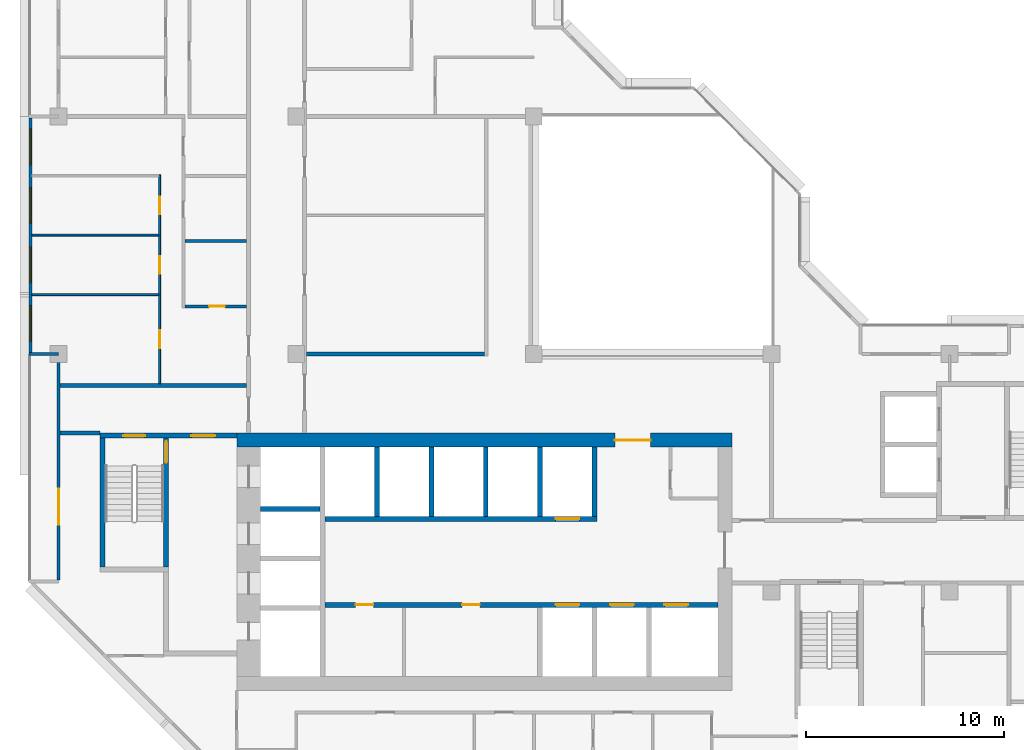
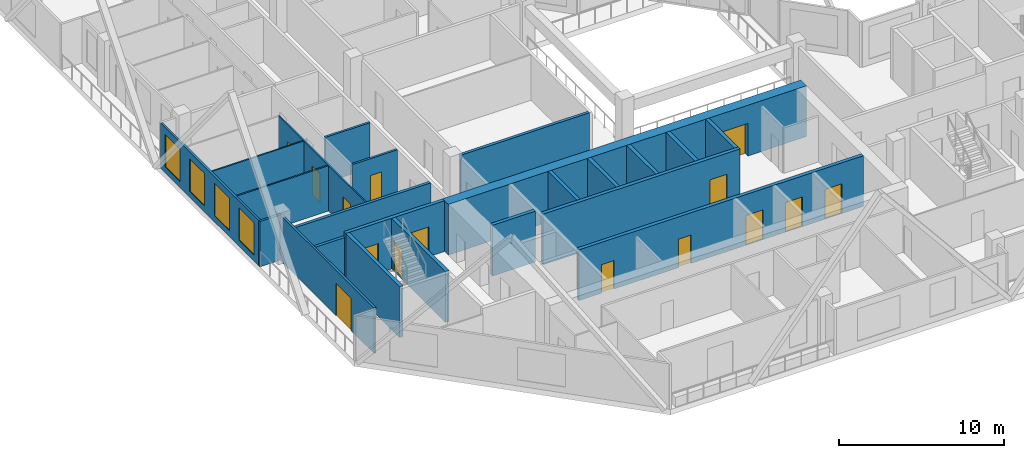
# One storey, part 5 of 15: 23 walls, 15 doors, 4 windows, 19 openings.
"""IFC4 building model written with IfcOpenShell, lengths in metres."""

from ifc_helpers import new_model, si_unit, direction, frame, frame_2d, origin, place, context, subcontext, project, spatial, rectangle, extrude, material, layer, layer_set, type_object, element, fill, save


model = new_model("IFC4")

# Units and contexts
model_context = context("Model", 3, precision=1e-05, world=origin(), true_north=direction((0.0, 1.0)))
body_context = subcontext(model_context, "Body", "Model", "MODEL_VIEW")
ifc_project = project(units=[si_unit("LENGTHUNIT", "METRE"), si_unit("AREAUNIT", "SQUARE_METRE"), si_unit("VOLUMEUNIT", "CUBIC_METRE"), si_unit("PLANEANGLEUNIT", "RADIAN"), si_unit("MASSUNIT", "GRAM", prefix="KILO")], contexts=[model_context])

# Site, building, storey
site_placement = place(None, origin())
site = spatial("IfcSite", under=ifc_project, at=site_placement, CompositionType="ELEMENT")
building_placement = place(site_placement, origin())
building = spatial("IfcBuilding", under=site, at=building_placement, Name="Chenar Terraces", CompositionType="ELEMENT")
storey_placement = place(building_placement, frame((0.0, 0.0, 245.39990234375)))
storey = spatial("IfcBuildingStorey", under=building, at=storey_placement, Name="L58", CompositionType="ELEMENT", Elevation=245.39990234375)

# Wall, openings, doors
ifc_material_1 = material(Name="Concrete C60/75", Category="concrete")
ifc_layer_1 = layer(ifc_material_1, 0.25)
ifc_layer_set_1 = layer_set([ifc_layer_1], Name="Concrete C60/75")
wall_type_1 = type_object("IfcWallType", Name="Core wall 250 Concrete C60/75", PredefinedType="SHEAR", material=ifc_layer_set_1)
wall_1_placement = place(storey_placement, frame((13.449951171875, 11.324951171875, 0.0), z_axis=(0.0, 0.0, 1.0), x_axis=(1.0, 0.0, 0.0)))
wall_1 = element("IfcWall", 1, at=wall_1_placement, inside=storey, type_object=wall_type_1, Name="Core wall SF L58", PredefinedType="SHEAR", context=body_context, shape_type="SweptSolid", body=[
    extrude(rectangle(XDim=19.85009765625, YDim=0.25, at=frame_2d((9.925048828125, 0.0))), origin(), (0.0, 0.0, 1.0), 3.75),
])
opening_1_placement = place(wall_1_placement, frame((11.64990234375, 0.0, 0.0)))
opening_1 = element("IfcOpeningElement", 2, at=opening_1_placement, cuts=wall_1, Name="Opening DL58-LD1", PredefinedType="OPENING", context=body_context, shape_type="SweptSolid", body=[
    extrude(rectangle(XDim=1.199951171875, YDim=2.199951171875, at=frame_2d((0.60009765625, 1.10009765625))), frame((0.0, 0.135009765625, 0.0), z_axis=(0.0, -1.0, 0.0), x_axis=(1.0, 0.0, 0.0)), (0.0, 0.0, 1.0), 0.27001953125),
])
opening_2_placement = place(wall_1_placement, frame((14.39990234375, 0.0, 0.0)))
opening_2 = element("IfcOpeningElement", 3, at=opening_2_placement, cuts=wall_1, Name="Opening DL58-LD2", PredefinedType="OPENING", context=body_context, shape_type="SweptSolid", body=[
    extrude(rectangle(XDim=1.199951171875, YDim=2.199951171875, at=frame_2d((0.60009765625, 1.10009765625))), frame((0.0, 0.135009765625, 0.0), z_axis=(0.0, -1.0, 0.0), x_axis=(1.0, 0.0, 0.0)), (0.0, 0.0, 1.0), 0.27001953125),
])
opening_3_placement = place(wall_1_placement, frame((17.14990234375, 0.0, 0.0)))
opening_3 = element("IfcOpeningElement", 4, at=opening_3_placement, cuts=wall_1, Name="Opening DL58-LD3", PredefinedType="OPENING", context=body_context, shape_type="SweptSolid", body=[
    extrude(rectangle(XDim=1.199951171875, YDim=2.199951171875, at=frame_2d((0.60009765625, 1.10009765625))), frame((0.0, 0.135009765625, 0.0), z_axis=(0.0, -1.0, 0.0), x_axis=(1.0, 0.0, 0.0)), (0.0, 0.0, 1.0), 0.27001953125),
])
opening_4_placement = place(wall_1_placement, frame((1.550048828125, 0.0, 0.0)))
opening_4 = element("IfcOpeningElement", 5, at=opening_4_placement, cuts=wall_1, Name="Opening DL58-C12", PredefinedType="OPENING", context=body_context, shape_type="SweptSolid", body=[
    extrude(rectangle(XDim=0.89990234375, YDim=2.10009765625, at=frame_2d((0.449951171875, 1.050048828125))), frame((0.0, 0.135009765625, 0.0), z_axis=(0.0, -1.0, 0.0), x_axis=(1.0, 0.0, 0.0)), (0.0, 0.0, 1.0), 0.27001953125),
])
opening_5_placement = place(wall_1_placement, frame((6.925048828125, 0.0, 0.0)))
opening_5 = element("IfcOpeningElement", 6, at=opening_5_placement, cuts=wall_1, Name="Opening DL58-C13", PredefinedType="OPENING", context=body_context, shape_type="SweptSolid", body=[
    extrude(rectangle(XDim=0.89990234375, YDim=2.10009765625, at=frame_2d((0.449951171875, 1.050048828125))), frame((0.0, 0.135009765625, 0.0), z_axis=(0.0, -1.0, 0.0), x_axis=(1.0, 0.0, 0.0)), (0.0, 0.0, 1.0), 0.27001953125),
])
ifc_material_2 = material(Name="Stainless steel", Category="steel")
door_type_1 = type_object("IfcDoorType", Name="Lift landing door 1200 x 2200 sliding", OperationType="DOUBLE_DOOR_SLIDING", PredefinedType="DOOR", material=ifc_material_2)
door_1_placement = place(opening_1_placement, origin())
door_1 = element("IfcDoor", 7, at=door_1_placement, inside=storey, type_object=door_type_1, Name="Landing door M1", OperationType="DOUBLE_DOOR_SLIDING", OverallHeight=2.199951171875, OverallWidth=1.199951171875, PredefinedType="DOOR", context=body_context, shape_type="SweptSolid", body=[
    extrude(rectangle(XDim=1.199951171875, YDim=2.199951171875, at=frame_2d((0.60009765625, 1.10009765625))), frame((0.0, 0.02490234375, 0.0), z_axis=(0.0, -1.0, 0.0), x_axis=(1.0, 0.0, 0.0)), (0.0, 0.0, 1.0), 0.050048828125),
])
fill(opening_1, door_1)
door_2_placement = place(opening_2_placement, origin())
door_2 = element("IfcDoor", 8, at=door_2_placement, inside=storey, type_object=door_type_1, Name="Landing door M2", OperationType="DOUBLE_DOOR_SLIDING", OverallHeight=2.199951171875, OverallWidth=1.199951171875, PredefinedType="DOOR", context=body_context, shape_type="SweptSolid", body=[
    extrude(rectangle(XDim=1.199951171875, YDim=2.199951171875, at=frame_2d((0.60009765625, 1.10009765625))), frame((0.0, 0.02490234375, 0.0), z_axis=(0.0, -1.0, 0.0), x_axis=(1.0, 0.0, 0.0)), (0.0, 0.0, 1.0), 0.050048828125),
])
fill(opening_2, door_2)
door_3_placement = place(opening_3_placement, origin())
door_3 = element("IfcDoor", 9, at=door_3_placement, inside=storey, type_object=door_type_1, Name="Landing door M3", OperationType="DOUBLE_DOOR_SLIDING", OverallHeight=2.199951171875, OverallWidth=1.199951171875, PredefinedType="DOOR", context=body_context, shape_type="SweptSolid", body=[
    extrude(rectangle(XDim=1.199951171875, YDim=2.199951171875, at=frame_2d((0.60009765625, 1.10009765625))), frame((0.0, 0.02490234375, 0.0), z_axis=(0.0, -1.0, 0.0), x_axis=(1.0, 0.0, 0.0)), (0.0, 0.0, 1.0), 0.050048828125),
])
fill(opening_3, door_3)
ifc_material_3 = material(Name="Steel-framed fire-resisting door leaf", Category="steel")
door_type_2 = type_object("IfcDoorType", Name="Riser fire door FD60 900 x 2100", OperationType="SINGLE_SWING_LEFT", PredefinedType="DOOR", material=ifc_material_3)
door_4_placement = place(opening_4_placement, frame((0.89990234375, 0.0, 0.0), z_axis=(0.0, 0.0, 1.0), x_axis=(-1.0, 0.0, 0.0)))
door_4 = element("IfcDoor", 10, at=door_4_placement, inside=storey, type_object=door_type_2, Name="Core room door DL58-C12", OperationType="SINGLE_SWING_LEFT", OverallHeight=2.10009765625, OverallWidth=0.89990234375, PredefinedType="DOOR", context=body_context, shape_type="SweptSolid", body=[
    extrude(rectangle(XDim=0.89990234375, YDim=2.10009765625, at=frame_2d((0.449951171875, 1.050048828125))), frame((0.0, 0.02490234375, 0.0), z_axis=(0.0, -1.0, 0.0), x_axis=(1.0, 0.0, 0.0)), (0.0, 0.0, 1.0), 0.050048828125),
])
fill(opening_4, door_4)
door_5_placement = place(opening_5_placement, frame((0.89990234375, 0.0, 0.0), z_axis=(0.0, 0.0, 1.0), x_axis=(-1.0, 0.0, 0.0)))
door_5 = element("IfcDoor", 11, at=door_5_placement, inside=storey, type_object=door_type_2, Name="Core room door DL58-C13", OperationType="SINGLE_SWING_RIGHT", OverallHeight=2.10009765625, OverallWidth=0.89990234375, PredefinedType="DOOR", context=body_context, shape_type="SweptSolid", body=[
    extrude(rectangle(XDim=0.89990234375, YDim=2.10009765625, at=frame_2d((0.449951171875, 1.050048828125))), frame((0.0, 0.02490234375, 0.0), z_axis=(0.0, -1.0, 0.0), x_axis=(1.0, 0.0, 0.0)), (0.0, 0.0, 1.0), 0.050048828125),
])
fill(opening_5, door_5)

# Wall, opening, door
wall_2_placement = place(storey_placement, frame((13.449951171875, 15.675048828125, 0.0), z_axis=(0.0, 0.0, 1.0), x_axis=(1.0, 0.0, 0.0)))
wall_2 = element("IfcWall", 12, at=wall_2_placement, inside=storey, type_object=wall_type_1, Name="Core wall NF L58", PredefinedType="SHEAR", context=body_context, shape_type="SweptSolid", body=[
    extrude(rectangle(XDim=13.75, YDim=0.25, at=frame_2d((6.875, 0.0))), origin(), (0.0, 0.0, 1.0), 3.75),
])
opening_6_placement = place(wall_2_placement, frame((11.64990234375, 0.0, 0.0)))
opening_6 = element("IfcOpeningElement", 13, at=opening_6_placement, cuts=wall_2, Name="Opening DL58-LD4", PredefinedType="OPENING", context=body_context, shape_type="SweptSolid", body=[
    extrude(rectangle(XDim=1.199951171875, YDim=2.199951171875, at=frame_2d((0.60009765625, 1.10009765625))), frame((0.0, 0.135009765625, 0.0), z_axis=(0.0, -1.0, 0.0), x_axis=(1.0, 0.0, 0.0)), (0.0, 0.0, 1.0), 0.27001953125),
])
door_6_placement = place(opening_6_placement, origin())
door_6 = element("IfcDoor", 14, at=door_6_placement, inside=storey, type_object=door_type_1, Name="Landing door M4", OperationType="DOUBLE_DOOR_SLIDING", OverallHeight=2.199951171875, OverallWidth=1.199951171875, PredefinedType="DOOR", context=body_context, shape_type="SweptSolid", body=[
    extrude(rectangle(XDim=1.199951171875, YDim=2.199951171875, at=frame_2d((0.60009765625, 1.10009765625))), frame((0.0, 0.02490234375, 0.0), z_axis=(0.0, -1.0, 0.0), x_axis=(1.0, 0.0, 0.0)), (0.0, 0.0, 1.0), 0.050048828125),
])
fill(opening_6, door_6)

# Walls
wall_3_placement = place(storey_placement, frame((10.199951171875, 16.175048828125, 0.0), z_axis=(0.0, 0.0, 1.0), x_axis=(1.0, 0.0, 0.0)))
element("IfcWall", 15, at=wall_3_placement, inside=storey, type_object=wall_type_1, Name="Core wall HW2 L58", PredefinedType="SHEAR", context=body_context, shape_type="SweptSolid", body=[
    extrude(rectangle(XDim=3.0, YDim=0.25, at=frame_2d((1.5, 0.0))), origin(), (0.0, 0.0, 1.0), 3.75),
])
for number, where, z_axis, x_axis, name in (
    (16, (16.074951171875, 15.800048828125, 0.0), (0.0, 0.0, 1.0), (0.0, 1.0, 0.0), "Core wall NS0 L58"),
    (17, (18.824951171875, 15.800048828125, 0.0), (0.0, 0.0, 1.0), (0.0, 1.0, 0.0), "Core wall NS1 L58"),
    (18, (21.574951171875, 15.800048828125, 0.0), (0.0, 0.0, 1.0), (0.0, 1.0, 0.0), "Core wall NS2 L58"),
    (19, (24.324951171875, 15.800048828125, 0.0), (0.0, 0.0, 1.0), (0.0, 1.0, 0.0), "Core wall NS3 L58"),
    (20, (27.074951171875, 15.800048828125, 0.0), (0.0, 0.0, 1.0), (0.0, 1.0, 0.0), "Core wall NE L58"),
):
    element("IfcWall", number, at=place(storey_placement, frame(where, z_axis=z_axis, x_axis=x_axis)), inside=storey, type_object=wall_type_1, Name=name, PredefinedType="SHEAR", context=body_context, shape_type="SweptSolid", body=[
        extrude(rectangle(XDim=3.5, YDim=0.25, at=frame_2d((1.75, 0.0))), origin(), (0.0, 0.0, 1.0), 3.75),
    ])

# Wall, openings, doors
wall_4_placement = place(storey_placement, frame((2.10009765625, 19.875, 0.0), z_axis=(0.0, 0.0, 1.0), x_axis=(1.0, 0.0, 0.0)))
wall_4 = element("IfcWall", 21, at=wall_4_placement, inside=storey, type_object=wall_type_1, Name="Core wall A_N L58", PredefinedType="SHEAR", context=body_context, shape_type="SweptSolid", body=[
    extrude(rectangle(XDim=6.89990234375, YDim=0.25, at=frame_2d((3.449951171875, 0.0))), origin(), (0.0, 0.0, 1.0), 3.75),
])
opening_7_placement = place(wall_4_placement, frame((1.175048828125, 0.0, 0.0)))
opening_7 = element("IfcOpeningElement", 22, at=opening_7_placement, cuts=wall_4, Name="Opening DL58-C5", PredefinedType="OPENING", context=body_context, shape_type="SweptSolid", body=[
    extrude(rectangle(XDim=1.10009765625, YDim=2.199951171875, at=frame_2d((0.550048828125, 1.10009765625))), frame((0.0, 0.135009765625, 0.0), z_axis=(0.0, -1.0, 0.0), x_axis=(1.0, 0.0, 0.0)), (0.0, 0.0, 1.0), 0.27001953125),
])
opening_8_placement = place(wall_4_placement, frame((4.60009765625, 0.0, 0.0)))
opening_8 = element("IfcOpeningElement", 23, at=opening_8_placement, cuts=wall_4, Name="Opening DL58-C6", PredefinedType="OPENING", context=body_context, shape_type="SweptSolid", body=[
    extrude(rectangle(XDim=1.199951171875, YDim=2.199951171875, at=frame_2d((0.60009765625, 1.10009765625))), frame((0.0, 0.135009765625, 0.0), z_axis=(0.0, -1.0, 0.0), x_axis=(1.0, 0.0, 0.0)), (0.0, 0.0, 1.0), 0.27001953125),
])
ifc_material_4 = material(Name="Steel-framed fire-resisting door leaf", Category="steel")
door_type_3 = type_object("IfcDoorType", Name="Lobby fire door FD60 1200 x 2200", OperationType="SINGLE_SWING_LEFT", PredefinedType="DOOR", material=ifc_material_4)
door_7_placement = place(opening_8_placement, frame((1.199951171875, 0.0, 0.0), z_axis=(0.0, 0.0, 1.0), x_axis=(-1.0, 0.0, 0.0)))
door_7 = element("IfcDoor", 24, at=door_7_placement, inside=storey, type_object=door_type_3, Name="Core door DL58-C6", OperationType="SINGLE_SWING_LEFT", OverallHeight=2.199951171875, OverallWidth=1.199951171875, PredefinedType="DOOR", context=body_context, shape_type="SweptSolid", body=[
    extrude(rectangle(XDim=1.199951171875, YDim=2.199951171875, at=frame_2d((0.60009765625, 1.10009765625))), frame((0.0, 0.02490234375, 0.0), z_axis=(0.0, -1.0, 0.0), x_axis=(1.0, 0.0, 0.0)), (0.0, 0.0, 1.0), 0.050048828125),
])
fill(opening_8, door_7)
ifc_material_5 = material(Name="Steel-framed fire-resisting door leaf", Category="steel")
door_type_4 = type_object("IfcDoorType", Name="Stair fire door FD60 1100 x 2200", OperationType="SINGLE_SWING_LEFT", PredefinedType="DOOR", material=ifc_material_5)
door_8_placement = place(opening_7_placement, origin())
door_8 = element("IfcDoor", 25, at=door_8_placement, inside=storey, type_object=door_type_4, Name="Stair door DL58-C5", OperationType="SINGLE_SWING_LEFT", OverallHeight=2.199951171875, OverallWidth=1.10009765625, PredefinedType="DOOR", context=body_context, shape_type="SweptSolid", body=[
    extrude(rectangle(XDim=1.10009765625, YDim=2.199951171875, at=frame_2d((0.550048828125, 1.10009765625))), frame((0.0, 0.02490234375, 0.0), z_axis=(0.0, -1.0, 0.0), x_axis=(1.0, 0.0, 0.0)), (0.0, 0.0, 1.0), 0.050048828125),
])
fill(opening_7, door_8)

# Wall
wall_5_placement = place(storey_placement, frame((2.22509765625, 13.25, 0.0), z_axis=(0.0, 0.0, 1.0), x_axis=(0.0, 1.0, 0.0)))
element("IfcWall", 26, at=wall_5_placement, inside=storey, type_object=wall_type_1, Name="Core wall ST1_W L58", PredefinedType="SHEAR", context=body_context, shape_type="SweptSolid", body=[
    extrude(rectangle(XDim=6.5, YDim=0.25, at=frame_2d((3.25, 0.0))), origin(), (0.0, 0.0, 1.0), 3.75),
])

# Wall, opening, door
wall_6_placement = place(storey_placement, frame((5.425048828125, 13.25, 0.0), z_axis=(0.0, 0.0, 1.0), x_axis=(0.0, 1.0, 0.0)))
wall_6 = element("IfcWall", 27, at=wall_6_placement, inside=storey, type_object=wall_type_1, Name="Core wall ST1_E L58", PredefinedType="SHEAR", context=body_context, shape_type="SweptSolid", body=[
    extrude(rectangle(XDim=6.5, YDim=0.25, at=frame_2d((3.25, 0.0))), origin(), (0.0, 0.0, 1.0), 3.75),
])
opening_9_placement = place(wall_6_placement, frame((5.25, 0.0, 0.0)))
opening_9 = element("IfcOpeningElement", 28, at=opening_9_placement, cuts=wall_6, Name="Opening DL58-C3", PredefinedType="OPENING", context=body_context, shape_type="SweptSolid", body=[
    extrude(rectangle(XDim=1.10009765625, YDim=2.199951171875, at=frame_2d((0.550048828125, 1.10009765625))), frame((0.0, 0.135009765625, 0.0), z_axis=(0.0, -1.0, 0.0), x_axis=(1.0, 0.0, 0.0)), (0.0, 0.0, 1.0), 0.27001953125),
])
door_9_placement = place(opening_9_placement, origin())
door_9 = element("IfcDoor", 29, at=door_9_placement, inside=storey, type_object=door_type_4, Name="Stair door DL58-C3", OperationType="SINGLE_SWING_RIGHT", OverallHeight=2.199951171875, OverallWidth=1.10009765625, PredefinedType="DOOR", context=body_context, shape_type="SweptSolid", body=[
    extrude(rectangle(XDim=1.10009765625, YDim=2.199951171875, at=frame_2d((0.550048828125, 1.10009765625))), frame((0.0, 0.02490234375, 0.0), z_axis=(0.0, -1.0, 0.0), x_axis=(1.0, 0.0, 0.0)), (0.0, 0.0, 1.0), 0.050048828125),
])
fill(opening_9, door_9)

ifc_material_6 = material(Name="Concrete C60/75", Category="concrete")
ifc_layer_2 = layer(ifc_material_6, 0.699951171875)
ifc_layer_set_2 = layer_set([ifc_layer_2], Name="Concrete C60/75")
wall_type_2 = type_object("IfcWallType", Name="Core wall 700 Concrete C60/75", PredefinedType="SHEAR", material=ifc_layer_set_2)
wall_7_placement = place(storey_placement, frame((9.0, 19.64990234375, 0.0), z_axis=(0.0, 0.0, 1.0), x_axis=(1.0, 0.0, 0.0)))
wall_7 = element("IfcWall", 30, at=wall_7_placement, inside=storey, type_object=wall_type_2, Name="Core wall N L58", PredefinedType="SHEAR", context=body_context, shape_type="SweptSolid", body=[
    extrude(rectangle(XDim=25.0, YDim=0.699951171875, at=frame_2d((12.5, 0.0))), origin(), (0.0, 0.0, 1.0), 3.75),
])
opening_10_placement = place(wall_7_placement, frame((19.10009765625, 0.0, 0.0)))
opening_10 = element("IfcOpeningElement", 31, at=opening_10_placement, cuts=wall_7, Name="Opening DL58-C2", PredefinedType="OPENING", context=body_context, shape_type="SweptSolid", body=[
    extrude(rectangle(XDim=1.800048828125, YDim=2.39990234375, at=frame_2d((0.89990234375, 1.199951171875))), frame((0.0, 0.35986328125, 0.0), z_axis=(0.0, -1.0, 0.0), x_axis=(1.0, 0.0, 0.0)), (0.0, 0.0, 1.0), 0.719970703125),
])
ifc_material_7 = material(Name="Steel-framed fire-resisting door leaf", Category="steel")
door_type_5 = type_object("IfcDoorType", Name="Core entrance double fire door FD60 1800 x 2400", OperationType="DOUBLE_DOOR_SINGLE_SWING", PredefinedType="DOOR", material=ifc_material_7)
door_10_placement = place(opening_10_placement, frame((1.800048828125, 0.0, 0.0), z_axis=(0.0, 0.0, 1.0), x_axis=(-1.0, 0.0, 0.0)))
door_10 = element("IfcDoor", 32, at=door_10_placement, inside=storey, type_object=door_type_5, Name="Core door DL58-C2", OperationType="DOUBLE_DOOR_SINGLE_SWING", OverallHeight=2.39990234375, OverallWidth=1.800048828125, PredefinedType="DOOR", context=body_context, shape_type="SweptSolid", body=[
    extrude(rectangle(XDim=1.800048828125, YDim=2.39990234375, at=frame_2d((0.89990234375, 1.199951171875))), frame((0.0, 0.02490234375, 0.0), z_axis=(0.0, -1.0, 0.0), x_axis=(1.0, 0.0, 0.0)), (0.0, 0.0, 1.0), 0.050048828125),
])
fill(opening_10, door_10)

# Walls
ifc_material_8 = material(Name="Gypsum board on steel studs with fire boards", Category="steel")
ifc_layer_3 = layer(ifc_material_8, 0.199951171875)
ifc_layer_set_3 = layer_set([ifc_layer_3], Name="Gypsum board on steel studs with fire boards")
wall_type_3 = type_object("IfcWallType", Name="Corridor wall 200", PredefinedType="PARTITIONING", material=ifc_layer_set_3)
wall_8_placement = place(storey_placement, frame((0.073974609375, 20.0, 0.0), z_axis=(0.0, 0.0, 1.0), x_axis=(1.0, 0.0, 0.0)))
element("IfcWall", 33, at=wall_8_placement, inside=storey, type_object=wall_type_3, Name="Partition L58-008", PredefinedType="PARTITIONING", context=body_context, shape_type="SweptSolid", body=[
    extrude(rectangle(XDim=2.026123046875, YDim=0.199951171875, at=frame_2d((1.01318359375, 0.0))), origin(), (0.0, 0.0, 1.0), 3.35009765625),
])
wall_9_placement = place(storey_placement, frame((0.073974609375, 22.39990234375, 0.0), z_axis=(0.0, 0.0, 1.0), x_axis=(1.0, 0.0, 0.0)))
element("IfcWall", 34, at=wall_9_placement, inside=storey, type_object=wall_type_3, Name="Partition L58-009", PredefinedType="PARTITIONING", context=body_context, shape_type="SweptSolid", body=[
    extrude(rectangle(XDim=9.426025390625, YDim=0.199951171875, at=frame_2d((4.712890625, 0.0))), origin(), (0.0, 0.0, 1.0), 3.35009765625),
])
wall_10_placement = place(storey_placement, frame((12.52490234375, 24.0, 0.0), z_axis=(0.0, 0.0, 1.0), x_axis=(1.0, 0.0, 0.0)))
element("IfcWall", 35, at=wall_10_placement, inside=storey, type_object=wall_type_3, Name="Partition L58-037", PredefinedType="PARTITIONING", context=body_context, shape_type="SweptSolid", body=[
    extrude(rectangle(XDim=8.97509765625, YDim=0.199951171875, at=frame_2d((4.487548828125, 0.0))), origin(), (0.0, 0.0, 1.0), 3.35009765625),
])

# Wall, openings, windows
ifc_material_9 = material(Name="Aluminium framed glazing", Category="aluminium")
ifc_layer_4 = layer(ifc_material_9, 0.14990234375)
ifc_layer_set_4 = layer_set([ifc_layer_4], Name="Aluminium framed glazing")
wall_type_4 = type_object("IfcWallType", Name="Glazed flush facade wall 150", PredefinedType="SOLIDWALL", material=ifc_layer_set_4)
wall_11_placement = place(storey_placement, frame((-1.425048828125, 35.925048828125, 0.0), z_axis=(0.0, 0.0, 1.0), x_axis=(0.0, -1.0, 0.0)))
wall_11 = element("IfcWall", 36, at=wall_11_placement, inside=storey, type_object=wall_type_4, Name="Glazed flush facade wall", PredefinedType="SOLIDWALL", context=body_context, shape_type="SweptSolid", body=[
    extrude(rectangle(XDim=11.85009765625, YDim=0.14990234375, at=frame_2d((5.925048828125, 0.0))), origin(), (0.0, 0.0, 1.0), 3.35009765625),
])
opening_11_placement = place(wall_11_placement, frame((0.5625, 0.0, 0.449951171875)))
opening_11 = element("IfcOpeningElement", 37, at=opening_11_placement, cuts=wall_11, Name="Opening W180x240", PredefinedType="OPENING", context=body_context, shape_type="SweptSolid", body=[
    extrude(rectangle(XDim=1.800048828125, YDim=2.39990234375, at=frame_2d((0.89990234375, 1.199951171875))), frame((0.0, 0.0849609375, 0.0), z_axis=(0.0, -1.0, 0.0), x_axis=(1.0, 0.0, 0.0)), (0.0, 0.0, 1.0), 0.169921875),
])
opening_12_placement = place(wall_11_placement, frame((3.52490234375, 0.0, 0.449951171875)))
opening_12 = element("IfcOpeningElement", 38, at=opening_12_placement, cuts=wall_11, Name="Opening W180x240", PredefinedType="OPENING", context=body_context, shape_type="SweptSolid", body=[
    extrude(rectangle(XDim=1.800048828125, YDim=2.39990234375, at=frame_2d((0.89990234375, 1.199951171875))), frame((0.0, 0.0849609375, 0.0), z_axis=(0.0, -1.0, 0.0), x_axis=(1.0, 0.0, 0.0)), (0.0, 0.0, 1.0), 0.169921875),
])
opening_13_placement = place(wall_11_placement, frame((6.52490234375, 0.0, 0.449951171875)))
opening_13 = element("IfcOpeningElement", 39, at=opening_13_placement, cuts=wall_11, Name="Opening W180x240", PredefinedType="OPENING", context=body_context, shape_type="SweptSolid", body=[
    extrude(rectangle(XDim=1.800048828125, YDim=2.39990234375, at=frame_2d((0.89990234375, 1.199951171875))), frame((0.0, 0.0849609375, 0.0), z_axis=(0.0, -1.0, 0.0), x_axis=(1.0, 0.0, 0.0)), (0.0, 0.0, 1.0), 0.169921875),
])
opening_14_placement = place(wall_11_placement, frame((9.487548828125, 0.0, 0.449951171875)))
opening_14 = element("IfcOpeningElement", 40, at=opening_14_placement, cuts=wall_11, Name="Opening W180x240", PredefinedType="OPENING", context=body_context, shape_type="SweptSolid", body=[
    extrude(rectangle(XDim=1.800048828125, YDim=2.39990234375, at=frame_2d((0.89990234375, 1.199951171875))), frame((0.0, 0.0849609375, 0.0), z_axis=(0.0, -1.0, 0.0), x_axis=(1.0, 0.0, 0.0)), (0.0, 0.0, 1.0), 0.169921875),
])
ifc_material_10 = material(Name="Low emissivity double glazing, aluminium frame", Category="aluminium")
window_type = type_object("IfcWindowType", Name="Fixed light 1800 x 2400", PartitioningType="SINGLE_PANEL", PredefinedType="WINDOW", material=ifc_material_10)
window_1_placement = place(opening_11_placement, origin())
window_1 = element("IfcWindow", 41, at=window_1_placement, inside=storey, type_object=window_type, Name="Window", OverallHeight=2.39990234375, OverallWidth=1.800048828125, PartitioningType="SINGLE_PANEL", PredefinedType="WINDOW", context=body_context, shape_type="SweptSolid", body=[
    extrude(rectangle(XDim=1.800048828125, YDim=2.39990234375, at=frame_2d((0.89990234375, 1.199951171875))), frame((0.0, 0.030029296875, 0.0), z_axis=(0.0, -1.0, 0.0), x_axis=(1.0, 0.0, 0.0)), (0.0, 0.0, 1.0), 0.06005859375),
])
fill(opening_11, window_1)
window_2_placement = place(opening_12_placement, origin())
window_2 = element("IfcWindow", 42, at=window_2_placement, inside=storey, type_object=window_type, Name="Window", OverallHeight=2.39990234375, OverallWidth=1.800048828125, PartitioningType="SINGLE_PANEL", PredefinedType="WINDOW", context=body_context, shape_type="SweptSolid", body=[
    extrude(rectangle(XDim=1.800048828125, YDim=2.39990234375, at=frame_2d((0.89990234375, 1.199951171875))), frame((0.0, 0.030029296875, 0.0), z_axis=(0.0, -1.0, 0.0), x_axis=(1.0, 0.0, 0.0)), (0.0, 0.0, 1.0), 0.06005859375),
])
fill(opening_12, window_2)
window_3_placement = place(opening_13_placement, origin())
window_3 = element("IfcWindow", 43, at=window_3_placement, inside=storey, type_object=window_type, Name="Window", OverallHeight=2.39990234375, OverallWidth=1.800048828125, PartitioningType="SINGLE_PANEL", PredefinedType="WINDOW", context=body_context, shape_type="SweptSolid", body=[
    extrude(rectangle(XDim=1.800048828125, YDim=2.39990234375, at=frame_2d((0.89990234375, 1.199951171875))), frame((0.0, 0.030029296875, 0.0), z_axis=(0.0, -1.0, 0.0), x_axis=(1.0, 0.0, 0.0)), (0.0, 0.0, 1.0), 0.06005859375),
])
fill(opening_13, window_3)
window_4_placement = place(opening_14_placement, origin())
window_4 = element("IfcWindow", 44, at=window_4_placement, inside=storey, type_object=window_type, Name="Window", OverallHeight=2.39990234375, OverallWidth=1.800048828125, PartitioningType="SINGLE_PANEL", PredefinedType="WINDOW", context=body_context, shape_type="SweptSolid", body=[
    extrude(rectangle(XDim=1.800048828125, YDim=2.39990234375, at=frame_2d((0.89990234375, 1.199951171875))), frame((0.0, 0.030029296875, 0.0), z_axis=(0.0, -1.0, 0.0), x_axis=(1.0, 0.0, 0.0)), (0.0, 0.0, 1.0), 0.06005859375),
])
fill(opening_14, window_4)

# Wall, opening, door
ifc_material_11 = material(Name="Aluminium framed glazing", Category="aluminium")
ifc_layer_5 = layer(ifc_material_11, 0.14990234375)
ifc_layer_set_5 = layer_set([ifc_layer_5], Name="Aluminium framed glazing")
wall_type_5 = type_object("IfcWallType", Name="Glazed loggia back wall 150", PredefinedType="SOLIDWALL", material=ifc_layer_set_5)
wall_12_placement = place(storey_placement, frame((0.0, 23.925048828125, 0.0), z_axis=(0.0, 0.0, 1.0), x_axis=(0.0, -1.0, 0.0)))
wall_12 = element("IfcWall", 45, at=wall_12_placement, inside=storey, type_object=wall_type_5, Name="Glazed loggia back wall", PredefinedType="SOLIDWALL", context=body_context, shape_type="SweptSolid", body=[
    extrude(rectangle(XDim=11.35009765625, YDim=0.14990234375, at=frame_2d((5.675048828125, 0.0))), origin(), (0.0, 0.0, 1.0), 3.35009765625),
])
opening_15_placement = place(wall_12_placement, frame((6.737548828125, 0.0, 0.0)))
opening_15 = element("IfcOpeningElement", 46, at=opening_15_placement, cuts=wall_12, Name="Opening DL58-G4", PredefinedType="OPENING", context=body_context, shape_type="SweptSolid", body=[
    extrude(rectangle(XDim=1.800048828125, YDim=2.39990234375, at=frame_2d((0.89990234375, 1.199951171875))), frame((0.0, 0.0849609375, 0.0), z_axis=(0.0, -1.0, 0.0), x_axis=(1.0, 0.0, 0.0)), (0.0, 0.0, 1.0), 0.169921875),
])
ifc_material_12 = material(Name="Low emissivity double glazing, aluminium frame", Category="aluminium")
door_type_6 = type_object("IfcDoorType", Name="Loggia glazed double door 1800 x 2400", OperationType="DOUBLE_DOOR_SINGLE_SWING", PredefinedType="DOOR", material=ifc_material_12)
door_11_placement = place(opening_15_placement, frame((1.800048828125, 0.0, 0.0), z_axis=(0.0, 0.0, 1.0), x_axis=(-1.0, 0.0, 0.0)))
door_11 = element("IfcDoor", 47, at=door_11_placement, inside=storey, type_object=door_type_6, Name="Loggia glazed door", OperationType="DOUBLE_DOOR_SINGLE_SWING", OverallHeight=2.39990234375, OverallWidth=1.800048828125, PredefinedType="DOOR", context=body_context, shape_type="SweptSolid", body=[
    extrude(rectangle(XDim=1.800048828125, YDim=2.39990234375, at=frame_2d((0.89990234375, 1.199951171875))), frame((0.0, 0.02490234375, 0.0), z_axis=(0.0, -1.0, 0.0), x_axis=(1.0, 0.0, 0.0)), (0.0, 0.0, 1.0), 0.050048828125),
])
fill(opening_15, door_11)

# Walls
ifc_material_13 = material(Name="Gypsum board on steel studs", Category="steel")
ifc_layer_6 = layer(ifc_material_13, 0.10009765625)
ifc_layer_set_6 = layer_set([ifc_layer_6], Name="Gypsum board on steel studs")
wall_type_6 = type_object("IfcWallType", Name="Gypsum partition 100", PredefinedType="PARTITIONING", material=ifc_layer_set_6)
for number, where, z_axis, x_axis, name in (
    (48, (-1.35107421875, 27.0, 0.0), (0.0, 0.0, 1.0), (1.0, 0.0, 0.0), "Partition L58-001"),
    (49, (-1.35107421875, 30.0, 0.0), (0.0, 0.0, 1.0), (1.0, 0.0, 0.0), "Partition L58-002"),
):
    element("IfcWall", number, at=place(storey_placement, frame(where, z_axis=z_axis, x_axis=x_axis)), inside=storey, type_object=wall_type_6, Name=name, PredefinedType="PARTITIONING", context=body_context, shape_type="SweptSolid", body=[
        extrude(rectangle(XDim=6.401123046875, YDim=0.10009765625, at=frame_2d((3.20068359375, 0.0))), origin(), (0.0, 0.0, 1.0), 3.35009765625),
    ])

# Wall, openings, doors
wall_13_placement = place(storey_placement, frame((5.10009765625, 22.5, 0.0), z_axis=(0.0, 0.0, 1.0), x_axis=(0.0, 1.0, 0.0)))
wall_13 = element("IfcWall", 50, at=wall_13_placement, inside=storey, type_object=wall_type_6, Name="Partition L58-014", PredefinedType="PARTITIONING", context=body_context, shape_type="SweptSolid", body=[
    extrude(rectangle(XDim=10.550048828125, YDim=0.10009765625, at=frame_2d((5.27490234375, 0.0))), origin(), (0.0, 0.0, 1.0), 3.35009765625),
])
opening_16_placement = place(wall_13_placement, frame((1.800048828125, 0.0, 0.0)))
opening_16 = element("IfcOpeningElement", 51, at=opening_16_placement, cuts=wall_13, Name="Opening DL58-61", PredefinedType="OPENING", context=body_context, shape_type="SweptSolid", body=[
    extrude(rectangle(XDim=0.89990234375, YDim=2.10009765625, at=frame_2d((0.449951171875, 1.050048828125))), frame((0.0, 0.06005859375, 0.0), z_axis=(0.0, -1.0, 0.0), x_axis=(1.0, 0.0, 0.0)), (0.0, 0.0, 1.0), 0.1201171875),
])
opening_17_placement = place(wall_13_placement, frame((5.550048828125, 0.0, 0.0)))
opening_17 = element("IfcOpeningElement", 52, at=opening_17_placement, cuts=wall_13, Name="Opening DL58-62", PredefinedType="OPENING", context=body_context, shape_type="SweptSolid", body=[
    extrude(rectangle(XDim=0.89990234375, YDim=2.10009765625, at=frame_2d((0.449951171875, 1.050048828125))), frame((0.0, 0.06005859375, 0.0), z_axis=(0.0, -1.0, 0.0), x_axis=(1.0, 0.0, 0.0)), (0.0, 0.0, 1.0), 0.1201171875),
])
opening_18_placement = place(wall_13_placement, frame((8.550048828125, 0.0, 0.0)))
opening_18 = element("IfcOpeningElement", 53, at=opening_18_placement, cuts=wall_13, Name="Opening DL58-63", PredefinedType="OPENING", context=body_context, shape_type="SweptSolid", body=[
    extrude(rectangle(XDim=0.89990234375, YDim=2.10009765625, at=frame_2d((0.449951171875, 1.050048828125))), frame((0.0, 0.06005859375, 0.0), z_axis=(0.0, -1.0, 0.0), x_axis=(1.0, 0.0, 0.0)), (0.0, 0.0, 1.0), 0.1201171875),
])
ifc_material_14 = material(Name="Veneered timber door leaf", Category="wood")
door_type_7 = type_object("IfcDoorType", Name="Door 900 x 2100", OperationType="SINGLE_SWING_LEFT", PredefinedType="DOOR", material=ifc_material_14)
door_12_placement = place(opening_16_placement, origin())
door_12 = element("IfcDoor", 54, at=door_12_placement, inside=storey, type_object=door_type_7, Name="Door DL58-61", OperationType="SINGLE_SWING_RIGHT", OverallHeight=2.10009765625, OverallWidth=0.89990234375, PredefinedType="DOOR", context=body_context, shape_type="SweptSolid", body=[
    extrude(rectangle(XDim=0.89990234375, YDim=2.10009765625, at=frame_2d((0.449951171875, 1.050048828125))), frame((0.0, 0.02490234375, 0.0), z_axis=(0.0, -1.0, 0.0), x_axis=(1.0, 0.0, 0.0)), (0.0, 0.0, 1.0), 0.050048828125),
])
fill(opening_16, door_12)
door_13_placement = place(opening_17_placement, origin())
door_13 = element("IfcDoor", 55, at=door_13_placement, inside=storey, type_object=door_type_7, Name="Door DL58-62", OperationType="SINGLE_SWING_RIGHT", OverallHeight=2.10009765625, OverallWidth=0.89990234375, PredefinedType="DOOR", context=body_context, shape_type="SweptSolid", body=[
    extrude(rectangle(XDim=0.89990234375, YDim=2.10009765625, at=frame_2d((0.449951171875, 1.050048828125))), frame((0.0, 0.02490234375, 0.0), z_axis=(0.0, -1.0, 0.0), x_axis=(1.0, 0.0, 0.0)), (0.0, 0.0, 1.0), 0.050048828125),
])
fill(opening_17, door_13)
door_14_placement = place(opening_18_placement, origin())
door_14 = element("IfcDoor", 56, at=door_14_placement, inside=storey, type_object=door_type_7, Name="Door DL58-63", OperationType="SINGLE_SWING_RIGHT", OverallHeight=2.10009765625, OverallWidth=0.89990234375, PredefinedType="DOOR", context=body_context, shape_type="SweptSolid", body=[
    extrude(rectangle(XDim=0.89990234375, YDim=2.10009765625, at=frame_2d((0.449951171875, 1.050048828125))), frame((0.0, 0.02490234375, 0.0), z_axis=(0.0, -1.0, 0.0), x_axis=(1.0, 0.0, 0.0)), (0.0, 0.0, 1.0), 0.050048828125),
])
fill(opening_18, door_14)

# Wall
ifc_material_15 = material(Name="Terracotta cladding on insulated backing", Category="masonry")
ifc_layer_7 = layer(ifc_material_15, 0.14990234375)
ifc_layer_set_7 = layer_set([ifc_layer_7], Name="Terracotta cladding on insulated backing")
wall_type_7 = type_object("IfcWallType", Name="Loggia return wall 150", PredefinedType="SOLIDWALL", material=ifc_layer_set_7)
wall_14_placement = place(storey_placement, frame((-1.5, 24.0, 0.0), z_axis=(0.0, 0.0, 1.0), x_axis=(1.0, 0.0, 0.0)))
element("IfcWall", 57, at=wall_14_placement, inside=storey, type_object=wall_type_7, Name="Loggia return wall", PredefinedType="SOLIDWALL", context=body_context, shape_type="SweptSolid", body=[
    extrude(rectangle(XDim=1.5, YDim=0.14990234375, at=frame_2d((0.75, 0.0))), origin(), (0.0, 0.0, 1.0), 3.35009765625),
])

# Wall, opening, door
ifc_material_16 = material(Name="Moisture-resistant gypsum board on steel studs", Category="steel")
ifc_layer_8 = layer(ifc_material_16, 0.14990234375)
ifc_layer_set_8 = layer_set([ifc_layer_8], Name="Moisture-resistant gypsum board on steel studs")
wall_type_8 = type_object("IfcWallType", Name="Wet-room partition 150", PredefinedType="PARTITIONING", material=ifc_layer_set_8)
wall_15_placement = place(storey_placement, frame((6.375, 26.39990234375, 0.0), z_axis=(0.0, 0.0, 1.0), x_axis=(1.0, 0.0, 0.0)))
wall_15 = element("IfcWall", 58, at=wall_15_placement, inside=storey, type_object=wall_type_8, Name="Partition L58-018", PredefinedType="PARTITIONING", context=body_context, shape_type="SweptSolid", body=[
    extrude(rectangle(XDim=3.125, YDim=0.14990234375, at=frame_2d((1.5625, 0.0))), origin(), (0.0, 0.0, 1.0), 3.35009765625),
])
opening_19_placement = place(wall_15_placement, frame((1.22509765625, 0.0, 0.0)))
opening_19 = element("IfcOpeningElement", 59, at=opening_19_placement, cuts=wall_15, Name="Opening DL58-66", PredefinedType="OPENING", context=body_context, shape_type="SweptSolid", body=[
    extrude(rectangle(XDim=0.800048828125, YDim=2.10009765625, at=frame_2d((0.39990234375, 1.050048828125))), frame((0.0, 0.0849609375, 0.0), z_axis=(0.0, -1.0, 0.0), x_axis=(1.0, 0.0, 0.0)), (0.0, 0.0, 1.0), 0.169921875),
])
ifc_material_17 = material(Name="Veneered timber door leaf", Category="wood")
door_type_8 = type_object("IfcDoorType", Name="Door 800 x 2100", OperationType="SINGLE_SWING_LEFT", PredefinedType="DOOR", material=ifc_material_17)
door_15_placement = place(opening_19_placement, origin())
door_15 = element("IfcDoor", 60, at=door_15_placement, inside=storey, type_object=door_type_8, Name="Door DL58-66", OperationType="SINGLE_SWING_RIGHT", OverallHeight=2.10009765625, OverallWidth=0.800048828125, PredefinedType="DOOR", context=body_context, shape_type="SweptSolid", body=[
    extrude(rectangle(XDim=0.800048828125, YDim=2.10009765625, at=frame_2d((0.39990234375, 1.050048828125))), frame((0.0, 0.02490234375, 0.0), z_axis=(0.0, -1.0, 0.0), x_axis=(1.0, 0.0, 0.0)), (0.0, 0.0, 1.0), 0.050048828125),
])
fill(opening_19, door_15)

# Wall
wall_16_placement = place(storey_placement, frame((6.375, 29.699951171875, 0.0), z_axis=(0.0, 0.0, 1.0), x_axis=(1.0, 0.0, 0.0)))
element("IfcWall", 61, at=wall_16_placement, inside=storey, type_object=wall_type_8, Name="Partition L58-019", PredefinedType="PARTITIONING", context=body_context, shape_type="SweptSolid", body=[
    extrude(rectangle(XDim=3.125, YDim=0.14990234375, at=frame_2d((1.5625, 0.0))), origin(), (0.0, 0.0, 1.0), 3.35009765625),
])

save(model, "model.ifc")
